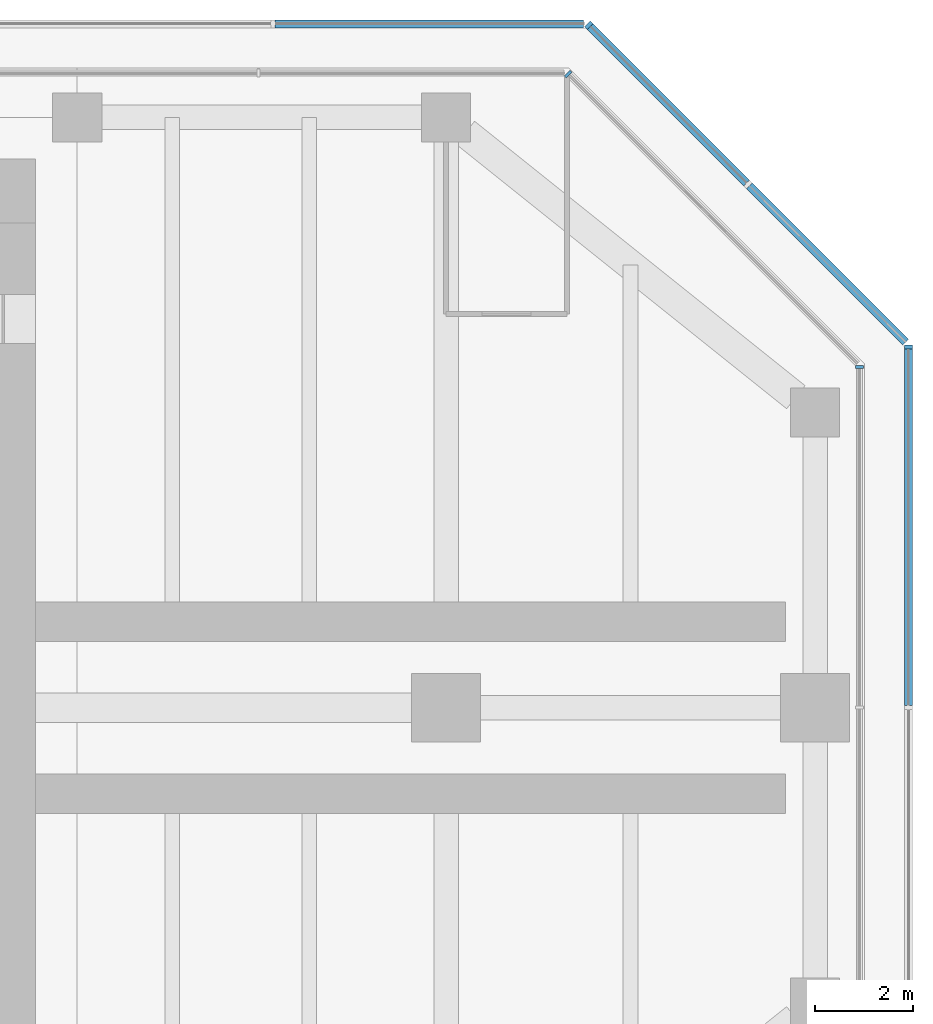
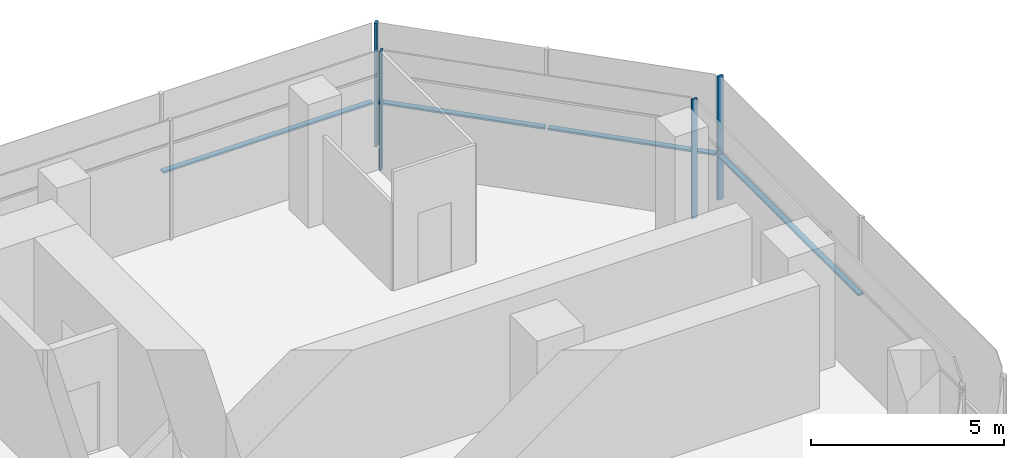
# One storey, part 8 of 15: 8 members, 5 elements without a shape of their own.
"""IFC4 building model written with IfcOpenShell, lengths in metres."""

from ifc_helpers import new_model, si_unit, direction, frame, origin, origin_2d, place, context, subcontext, project, spatial, rectangle, extrude, material, material_profile, profile_set, type_object, element, aggregate, save


model = new_model("IFC4")

# Units and contexts
model_context = context("Model", 3, precision=1e-05, world=origin(), true_north=direction((0.0, 1.0)))
body_context = subcontext(model_context, "Body", "Model", "MODEL_VIEW")
ifc_project = project(units=[si_unit("LENGTHUNIT", "METRE"), si_unit("AREAUNIT", "SQUARE_METRE"), si_unit("VOLUMEUNIT", "CUBIC_METRE"), si_unit("PLANEANGLEUNIT", "RADIAN"), si_unit("MASSUNIT", "GRAM", prefix="KILO")], contexts=[model_context])

# Site, building, storey
site_placement = place(None, origin())
site = spatial("IfcSite", under=ifc_project, at=site_placement, CompositionType="ELEMENT")
building_placement = place(site_placement, origin())
building = spatial("IfcBuilding", under=site, at=building_placement, Name="Mizan Broadcast Tower", CompositionType="ELEMENT")
storey_placement = place(building_placement, frame((0.0, 0.0, 282.89990234375)))
storey = spatial("IfcBuildingStorey", under=building, at=storey_placement, Name="L67", CompositionType="ELEMENT", Elevation=282.89990234375)

# Curtain wall, member
ifc_material_1 = material(Name="Aluminium framed glazing", Category="aluminium")
curtain_wall_type_1 = type_object("IfcCurtainWallType", Name="INNER SKIN TOP ZONE", PredefinedType="USERDEFINED", material=ifc_material_1)
curtain_wall_1_placement = place(storey_placement, origin())
curtain_wall_1 = element("IfcCurtainWall", 1, at=curtain_wall_1_placement, inside=storey, type_object=curtain_wall_type_1, Name="Inner skin top zone L67 E end", ObjectType="INNER SKIN TOP ZONE", PredefinedType="USERDEFINED")
ifc_material_2 = material(Name="Aluminium, pale anodised", Category="aluminium")
ifc_material_profile_1 = material_profile(ifc_material_2, rectangle(XDim=0.159912109375, YDim=0.06005859375, at=origin_2d()), Name="MULLION 160x60")
ifc_profile_set_1 = profile_set([ifc_material_profile_1], Name="Aluminium, pale anodised")
member_type_1 = type_object("IfcMemberType", Name="INNER SKIN MULLION 60x160", PredefinedType="MULLION", material=ifc_profile_set_1)
member_1_placement = place(storey_placement, frame((27.89990234375, 6.928466796875, 0.0), z_axis=(0.0, 0.0, 1.0), x_axis=(-1.0, 0.0, 0.0)))
member_1 = element("IfcMember", 2, at=member_1_placement, type_object=member_type_1, Name="Inner skin top zone L67 E end mullion 3", PredefinedType="MULLION", context=body_context, shape_type="SweptSolid", body=[
    extrude(rectangle(XDim=0.159912109375, YDim=0.06005859375, at=origin_2d()), origin(), (0.0, 0.0, 1.0), 3.77001953125),
])
aggregate(curtain_wall_1, [member_1])

curtain_wall_2_placement = place(storey_placement, origin())
curtain_wall_2 = element("IfcCurtainWall", 3, at=curtain_wall_2_placement, inside=storey, type_object=curtain_wall_type_1, Name="Inner skin top zone L67 E chamfer", ObjectType="INNER SKIN TOP ZONE", PredefinedType="USERDEFINED")
member_2_placement = place(storey_placement, frame((21.979736328125, 12.87890625, 0.0), z_axis=(0.0, 0.0, 1.0), x_axis=(-0.707106781187, -0.707106781187, 0.0)))
member_2 = element("IfcMember", 4, at=member_2_placement, type_object=member_type_1, Name="Inner skin top zone L67 E chamfer mullion 2", PredefinedType="MULLION", context=body_context, shape_type="SweptSolid", body=[
    extrude(rectangle(XDim=0.159912109375, YDim=0.06005859375, at=origin_2d()), origin(), (0.0, 0.0, 1.0), 3.77001953125),
])
aggregate(curtain_wall_2, [member_2])

ifc_material_3 = material(Name="Aluminium framed glazing", Category="aluminium")
curtain_wall_type_2 = type_object("IfcCurtainWallType", Name="OUTER SKIN", PredefinedType="USERDEFINED", material=ifc_material_3)
curtain_wall_3_placement = place(storey_placement, origin())
curtain_wall_3 = element("IfcCurtainWall", 5, at=curtain_wall_3_placement, inside=storey, type_object=curtain_wall_type_2, Name="Outer skin L67 E end", ObjectType="OUTER SKIN", PredefinedType="USERDEFINED")
ifc_material_4 = material(Name="Aluminium, pale anodised", Category="aluminium")
ifc_material_profile_2 = material_profile(ifc_material_4, rectangle(XDim=0.159912109375, YDim=0.080078125, at=origin_2d()), Name="MULLION 160x80")
ifc_profile_set_2 = profile_set([ifc_material_profile_2], Name="Aluminium, pale anodised")
member_type_2 = type_object("IfcMemberType", Name="OUTER SKIN MULLION 80x160", PredefinedType="MULLION", material=ifc_profile_set_2)
member_3_placement = place(storey_placement, frame((28.89990234375, 7.332763671875, 0.0), z_axis=(0.0, 0.0, 1.0), x_axis=(-1.0, 0.0, 0.0)))
member_3 = element("IfcMember", 6, at=member_3_placement, type_object=member_type_2, Name="Outer skin L67 E end mullion 3", PredefinedType="MULLION", context=body_context, shape_type="SweptSolid", body=[
    extrude(rectangle(XDim=0.159912109375, YDim=0.080078125, at=origin_2d()), origin(), (0.0, 0.0, 1.0), 3.900146484375),
])

curtain_wall_4_placement = place(storey_placement, origin())
curtain_wall_4 = element("IfcCurtainWall", 7, at=curtain_wall_4_placement, inside=storey, type_object=curtain_wall_type_2, Name="Outer skin L67 E chamfer", ObjectType="OUTER SKIN", PredefinedType="USERDEFINED")
member_4_placement = place(storey_placement, frame((22.401123046875, 13.871826171875, 0.0), z_axis=(0.0, 0.0, 1.0), x_axis=(-0.707106781187, -0.707106781187, 0.0)))
member_4 = element("IfcMember", 8, at=member_4_placement, type_object=member_type_2, Name="Outer skin L67 E chamfer mullion 3", PredefinedType="MULLION", context=body_context, shape_type="SweptSolid", body=[
    extrude(rectangle(XDim=0.159912109375, YDim=0.080078125, at=origin_2d()), origin(), (0.0, 0.0, 1.0), 3.900146484375),
])

# Member
ifc_material_5 = material(Name="Aluminium, pale anodised", Category="aluminium")
ifc_material_profile_3 = material_profile(ifc_material_5, rectangle(XDim=0.159912109375, YDim=0.06005859375, at=origin_2d()), Name="TRANSOM 160x60")
ifc_profile_set_3 = profile_set([ifc_material_profile_3], Name="Aluminium, pale anodised")
member_type_3 = type_object("IfcMemberType", Name="OUTER SKIN TRANSOM 60x160", PredefinedType="USERDEFINED", material=ifc_profile_set_3)
member_5_placement = place(storey_placement, frame((28.89990234375, 0.0400390625, 1.400146484375), z_axis=(0.0, 1.0, 0.0), x_axis=(-1.0, 0.0, 0.0)))
member_5 = element("IfcMember", 9, at=member_5_placement, type_object=member_type_3, Name="Outer skin L67 E end transom 2.1", ObjectType="TRANSOM", PredefinedType="USERDEFINED", context=body_context, shape_type="SweptSolid", body=[
    extrude(rectangle(XDim=0.159912109375, YDim=0.06005859375, at=origin_2d()), origin(), (0.0, 0.0, 1.0), 7.252685546875),
])

aggregate(curtain_wall_3, [member_3, member_5])

member_6_placement = place(storey_placement, frame((28.843505859375, 7.429443359375, 1.400146484375), z_axis=(-0.707106781187, 0.707106781187, 0.0), x_axis=(-0.707106781187, -0.707106781187, 0.0)))
member_6 = element("IfcMember", 10, at=member_6_placement, type_object=member_type_3, Name="Outer skin L67 E chamfer transom 1.1", ObjectType="TRANSOM", PredefinedType="USERDEFINED", context=body_context, shape_type="SweptSolid", body=[
    extrude(rectangle(XDim=0.159912109375, YDim=0.06005859375, at=origin_2d()), origin(), (0.0, 0.0, 1.0), 4.495361328125),
])

member_7_placement = place(storey_placement, frame((25.608154296875, 10.664794921875, 1.400146484375), z_axis=(-0.707106781187, 0.707106781187, 0.0), x_axis=(-0.707106781187, -0.707106781187, 0.0)))
member_7 = element("IfcMember", 11, at=member_7_placement, type_object=member_type_3, Name="Outer skin L67 E chamfer transom 2.1", ObjectType="TRANSOM", PredefinedType="USERDEFINED", context=body_context, shape_type="SweptSolid", body=[
    extrude(rectangle(XDim=0.159912109375, YDim=0.06005859375, at=origin_2d()), origin(), (0.0, 0.0, 1.0), 4.495361328125),
])

aggregate(curtain_wall_4, [member_4, member_6, member_7])

# Curtain wall, member
curtain_wall_5_placement = place(storey_placement, origin())
curtain_wall_5 = element("IfcCurtainWall", 12, at=curtain_wall_5_placement, inside=storey, type_object=curtain_wall_type_2, Name="Outer skin L67 N end", ObjectType="OUTER SKIN", PredefinedType="USERDEFINED")
member_8_placement = place(storey_placement, frame((22.292724609375, 13.89990234375, 1.400146484375), z_axis=(-1.0, 0.0, 0.0), x_axis=(0.0, -1.0, 0.0)))
member_8 = element("IfcMember", 13, at=member_8_placement, type_object=member_type_3, Name="Outer skin L67 N end transom 1.1", ObjectType="TRANSOM", PredefinedType="USERDEFINED", context=body_context, shape_type="SweptSolid", body=[
    extrude(rectangle(XDim=0.159912109375, YDim=0.06005859375, at=origin_2d()), origin(), (0.0, 0.0, 1.0), 6.272216796875),
])
aggregate(curtain_wall_5, [member_8])

save(model, "model.ifc")
